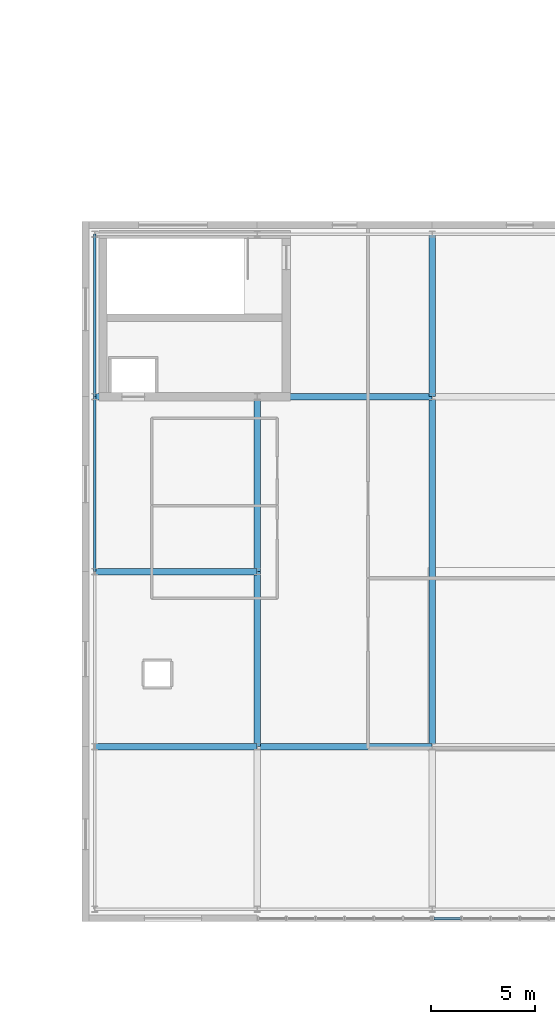
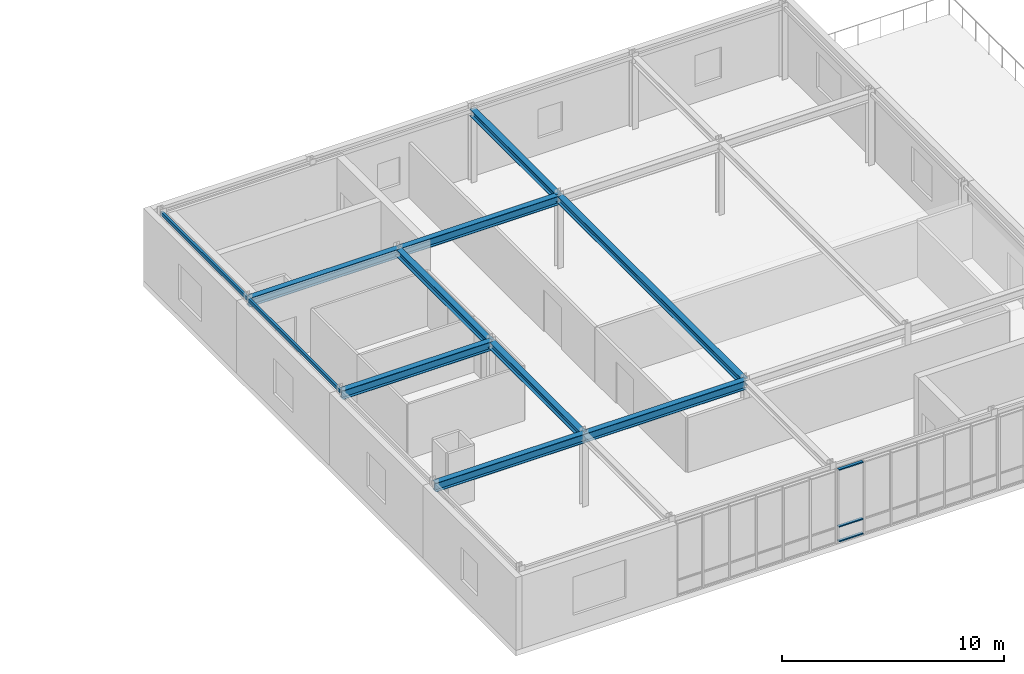
# One storey, part 75 of 127: 11 beams, 3 members, 1 element without a shape of its own.
"""IFC4 building model written with IfcOpenShell, lengths in metres."""

from ifc_helpers import new_model, si_unit, direction, frame, origin, origin_2d, place, context, subcontext, project, spatial, hollow_rectangle, i_section, extrude, material, layer, layer_set, material_profile, profile_set, type_object, element, aggregate, save


model = new_model("IFC4")

# Units and contexts
model_context = context("Model", 3, precision=1e-05, world=origin(), true_north=direction((0.0, 1.0)))
body_context = subcontext(model_context, "Body", "Model", "MODEL_VIEW")
ifc_project = project(units=[si_unit("LENGTHUNIT", "METRE"), si_unit("AREAUNIT", "SQUARE_METRE"), si_unit("VOLUMEUNIT", "CUBIC_METRE"), si_unit("PLANEANGLEUNIT", "RADIAN"), si_unit("MASSUNIT", "GRAM", prefix="KILO")], contexts=[model_context])

# Site, building, storey
site_placement = place(None, origin())
site = spatial("IfcSite", under=ifc_project, at=site_placement, CompositionType="ELEMENT")
building_placement = place(site_placement, origin())
building = spatial("IfcBuilding", under=site, at=building_placement, Name="Zayran Congress Hotel", CompositionType="ELEMENT")
storey_placement = place(building_placement, frame((0.0, 0.0, 10.800048828125)))
storey = spatial("IfcBuildingStorey", under=building, at=storey_placement, Name="L02", CompositionType="ELEMENT", Elevation=10.800048828125)

# Beams
ifc_material_1 = material(Name="Steel S355", Category="steel")
ifc_material_profile_1 = material_profile(ifc_material_1, i_section(OverallWidth=0.300048828125, OverallDepth=0.489990234375, WebThickness=0.011962890625, FlangeThickness=0.02294921875, at=origin_2d()), Name="HEA 500")
ifc_profile_set_1 = profile_set([ifc_material_profile_1], Name="Steel S355")
beam_type_1 = type_object("IfcBeamType", Name="TP-BM-05", PredefinedType="BEAM", material=ifc_profile_set_1)
beam_1_placement = place(storey_placement, frame((151.800048828125, 17.199951171875, 3.7548828125), z_axis=(1.0, 0.0, 0.0), x_axis=(0.0, 1.0, 0.0)))
element("IfcBeam", 1, at=beam_1_placement, inside=storey, type_object=beam_type_1, Name="BM-V3-L02-1178", PredefinedType="BEAM", context=body_context, shape_type="SweptSolid", body=[
    extrude(i_section(OverallWidth=0.300048828125, OverallDepth=0.489990234375, WebThickness=0.011962890625, FlangeThickness=0.02294921875, at=origin_2d()), origin(), (0.0, 0.0, 1.0), 7.800048828125),
])
beam_2_placement = place(storey_placement, frame((159.60009765625, 17.199951171875, 3.7548828125), z_axis=(1.0, 0.0, 0.0), x_axis=(0.0, 1.0, 0.0)))
element("IfcBeam", 2, at=beam_2_placement, inside=storey, type_object=beam_type_1, Name="BM-V3-L02-1179", PredefinedType="BEAM", context=body_context, shape_type="SweptSolid", body=[
    extrude(i_section(OverallWidth=0.300048828125, OverallDepth=0.489990234375, WebThickness=0.011962890625, FlangeThickness=0.02294921875, at=origin_2d()), origin(), (0.0, 0.0, 1.0), 8.39990234375),
])
for number, where, z_axis, x_axis, name in (
    (3, (151.800048828125, 25.60009765625, 3.7548828125), (1.0, 0.0, 0.0), (0.0, 1.0, 0.0), "BM-V3-L02-1182"),
    (4, (151.800048828125, 34.0, 3.7548828125), (1.0, 0.0, 0.0), (0.0, 1.0, 0.0), "BM-V3-L02-1183"),
):
    element("IfcBeam", number, at=place(storey_placement, frame(where, z_axis=z_axis, x_axis=x_axis)), inside=storey, type_object=beam_type_1, Name=name, PredefinedType="BEAM", context=body_context, shape_type="SweptSolid", body=[
        extrude(i_section(OverallWidth=0.300048828125, OverallDepth=0.489990234375, WebThickness=0.011962890625, FlangeThickness=0.02294921875, at=origin_2d()), origin(), (0.0, 0.0, 1.0), 7.800048828125),
    ])
beam_3_placement = place(storey_placement, frame((159.60009765625, 34.0, 3.7548828125), z_axis=(1.0, 0.0, 0.0), x_axis=(0.0, 1.0, 0.0)))
element("IfcBeam", 5, at=beam_3_placement, inside=storey, type_object=beam_type_1, Name="BM-V3-L02-1184", PredefinedType="BEAM", context=body_context, shape_type="SweptSolid", body=[
    extrude(i_section(OverallWidth=0.300048828125, OverallDepth=0.489990234375, WebThickness=0.011962890625, FlangeThickness=0.02294921875, at=origin_2d()), origin(), (0.0, 0.0, 1.0), 8.39990234375),
])
ifc_material_profile_2 = material_profile(ifc_material_1, i_section(OverallWidth=0.300048828125, OverallDepth=0.389892578125, WebThickness=0.010986328125, FlangeThickness=0.01904296875, at=origin_2d()), Name="HEA 400")
ifc_profile_set_2 = profile_set([ifc_material_profile_2], Name="Steel S355")
beam_type_2 = type_object("IfcBeamType", Name="TP-BM-06", PredefinedType="BEAM", material=ifc_profile_set_2)
beam_4_placement = place(storey_placement, frame((159.60009765625, 17.199951171875, 3.804931640625), z_axis=(0.0, 1.0, 0.0), x_axis=(-1.0, 0.0, 0.0)))
element("IfcBeam", 6, at=beam_4_placement, inside=storey, type_object=beam_type_2, Name="BM-V3-L02-1196", PredefinedType="BEAM", context=body_context, shape_type="SweptSolid", body=[
    extrude(i_section(OverallWidth=0.300048828125, OverallDepth=0.389892578125, WebThickness=0.010986328125, FlangeThickness=0.01904296875, at=origin_2d()), origin(), (0.0, 0.0, 1.0), 8.400146484375),
])
beam_5_placement = place(storey_placement, frame((159.60009765625, 25.60009765625, 3.804931640625), z_axis=(0.0, 1.0, 0.0), x_axis=(-1.0, 0.0, 0.0)))
element("IfcBeam", 7, at=beam_5_placement, inside=storey, type_object=beam_type_2, Name="BM-V3-L02-1197", PredefinedType="BEAM", context=body_context, shape_type="SweptSolid", body=[
    extrude(i_section(OverallWidth=0.300048828125, OverallDepth=0.389892578125, WebThickness=0.010986328125, FlangeThickness=0.01904296875, at=origin_2d()), origin(), (0.0, 0.0, 1.0), 8.39990234375),
])
beam_6_placement = place(storey_placement, frame((168.0, 17.199951171875, 3.804931640625), z_axis=(0.0, 1.0, 0.0), x_axis=(-1.0, 0.0, 0.0)))
element("IfcBeam", 8, at=beam_6_placement, inside=storey, type_object=beam_type_2, Name="BM-V3-L02-1199", PredefinedType="BEAM", context=body_context, shape_type="SweptSolid", body=[
    extrude(i_section(OverallWidth=0.300048828125, OverallDepth=0.389892578125, WebThickness=0.010986328125, FlangeThickness=0.01904296875, at=origin_2d()), origin(), (0.0, 0.0, 1.0), 16.800048828125),
])
beam_7_placement = place(storey_placement, frame((168.0, 34.0, 3.804931640625), z_axis=(0.0, 1.0, 0.0), x_axis=(-1.0, 0.0, 0.0)))
element("IfcBeam", 9, at=beam_7_placement, inside=storey, type_object=beam_type_2, Name="BM-V3-L02-1200", PredefinedType="BEAM", context=body_context, shape_type="SweptSolid", body=[
    extrude(i_section(OverallWidth=0.300048828125, OverallDepth=0.389892578125, WebThickness=0.010986328125, FlangeThickness=0.01904296875, at=origin_2d()), origin(), (0.0, 0.0, 1.0), 7.800048828125),
])
ifc_material_profile_3 = material_profile(ifc_material_1, hollow_rectangle(XDim=0.1201171875, YDim=0.199951171875, WallThickness=0.008056640625, at=origin_2d()), Name="RHS 200x120x8")
ifc_profile_set_3 = profile_set([ifc_material_profile_3], Name="Steel S355")
beam_type_3 = type_object("IfcBeamType", Name="TP-SP-02", PredefinedType="SPANDREL", material=ifc_profile_set_3)
beam_8_placement = place(storey_placement, frame((151.800048828125, 25.60009765625, 3.89990234375), z_axis=(0.0, 1.0, 0.0), x_axis=(-1.0, 0.0, 0.0)))
element("IfcBeam", 10, at=beam_8_placement, inside=storey, type_object=beam_type_3, Name="BM-V3-L02-1193", PredefinedType="SPANDREL", context=body_context, shape_type="SweptSolid", body=[
    extrude(hollow_rectangle(XDim=0.1201171875, YDim=0.199951171875, WallThickness=0.008056640625, at=origin_2d()), origin(), (0.0, 0.0, 1.0), 8.39990234375),
])
beam_9_placement = place(storey_placement, frame((151.800048828125, 34.0, 3.89990234375), z_axis=(0.0, 1.0, 0.0), x_axis=(-1.0, 0.0, 0.0)))
element("IfcBeam", 11, at=beam_9_placement, inside=storey, type_object=beam_type_3, Name="BM-V3-L02-1194", PredefinedType="SPANDREL", context=body_context, shape_type="SweptSolid", body=[
    extrude(hollow_rectangle(XDim=0.1201171875, YDim=0.199951171875, WallThickness=0.008056640625, at=origin_2d()), origin(), (0.0, 0.0, 1.0), 7.800048828125),
])

# Curtain wall, members
ifc_material_2 = material(Name="Anodised aluminium and low-E insulated glass", Category="aluminium")
ifc_layer = layer(ifc_material_2, 0.179931640625)
ifc_layer_set = layer_set([ifc_layer], Name="Anodised aluminium and low-E insulated glass")
curtain_wall_type = type_object("IfcCurtainWallType", Name="CW-V3S-L02-CW-V31-8390-4000", PredefinedType="USERDEFINED", material=ifc_layer_set)
curtain_wall_placement = place(storey_placement, origin())
curtain_wall = element("IfcCurtainWall", 12, at=curtain_wall_placement, inside=storey, type_object=curtain_wall_type, Name="CW-V3S-L02-2", ObjectType="CURTAIN WALL", PredefinedType="USERDEFINED")
ifc_material_3 = material(Name="Anodised aluminium framing", Category="aluminium")
ifc_material_profile_4 = material_profile(ifc_material_3, hollow_rectangle(XDim=0.06005859375, YDim=0.14990234375, WallThickness=0.00390625, at=origin_2d()), Name="RHS 150x60x4")
ifc_profile_set_4 = profile_set([ifc_material_profile_4], Name="Anodised aluminium framing")
member_type = type_object("IfcMemberType", Name="TP-CWT-01", PredefinedType="USERDEFINED", material=ifc_profile_set_4)
member_1_placement = place(storey_placement, frame((168.0849609375, 8.9599609375, 0.030029296875), z_axis=(1.0, 0.0, 0.0), x_axis=(0.0, 0.0, 1.0)))
member_1 = element("IfcMember", 13, at=member_1_placement, type_object=member_type, Name="CW-V3S-L02-2-T00-0", ObjectType="TRANSOM", PredefinedType="USERDEFINED", context=body_context, shape_type="SweptSolid", body=[
    extrude(hollow_rectangle(XDim=0.06005859375, YDim=0.14990234375, WallThickness=0.00390625, at=origin_2d()), origin(), (0.0, 0.0, 1.0), 1.2783203125),
])
member_2_placement = place(storey_placement, frame((168.0849609375, 8.9599609375, 0.83984375), z_axis=(1.0, 0.0, 0.0), x_axis=(0.0, 0.0, 1.0)))
member_2 = element("IfcMember", 14, at=member_2_placement, type_object=member_type, Name="CW-V3S-L02-2-T00-1", ObjectType="TRANSOM", PredefinedType="USERDEFINED", context=body_context, shape_type="SweptSolid", body=[
    extrude(hollow_rectangle(XDim=0.06005859375, YDim=0.14990234375, WallThickness=0.00390625, at=origin_2d()), origin(), (0.0, 0.0, 1.0), 1.2783203125),
])
member_3_placement = place(storey_placement, frame((168.0849609375, 8.9599609375, 3.969970703125), z_axis=(1.0, 0.0, 0.0), x_axis=(0.0, 0.0, 1.0)))
member_3 = element("IfcMember", 15, at=member_3_placement, type_object=member_type, Name="CW-V3S-L02-2-T00-2", ObjectType="TRANSOM", PredefinedType="USERDEFINED", context=body_context, shape_type="SweptSolid", body=[
    extrude(hollow_rectangle(XDim=0.06005859375, YDim=0.14990234375, WallThickness=0.00390625, at=origin_2d()), origin(), (0.0, 0.0, 1.0), 1.2783203125),
])
aggregate(curtain_wall, [member_1, member_2, member_3])

save(model, "model.ifc")
